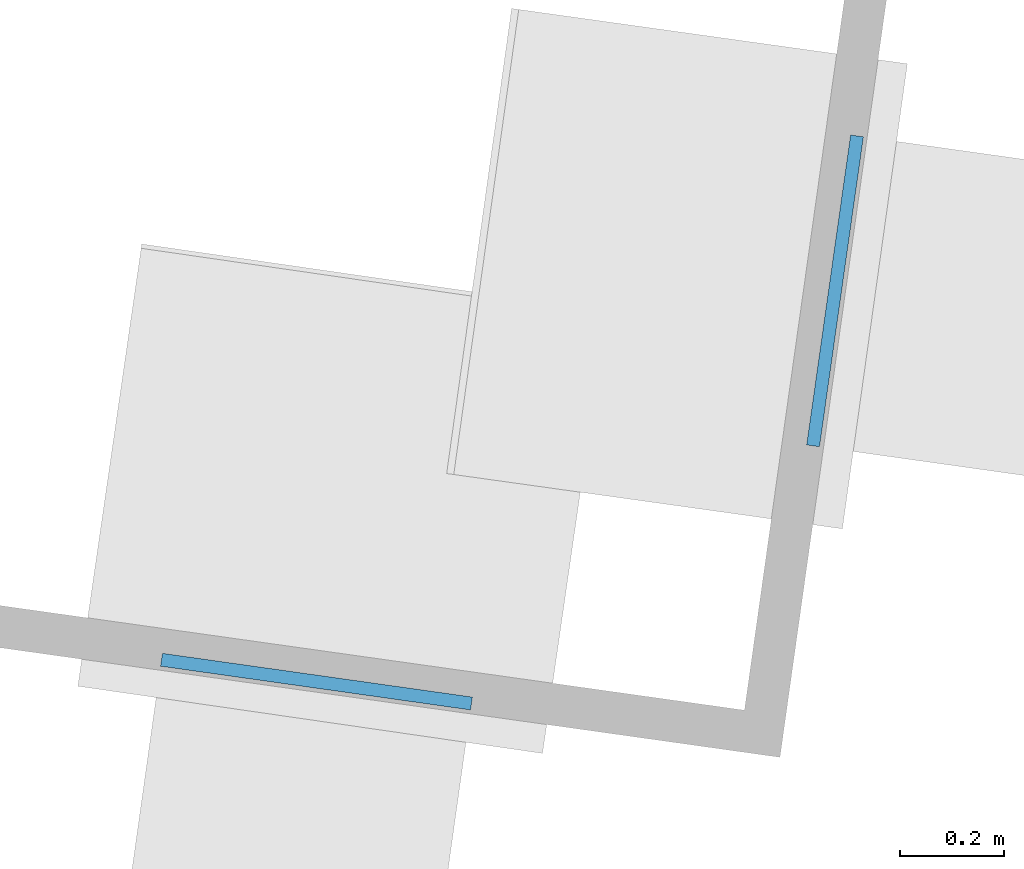
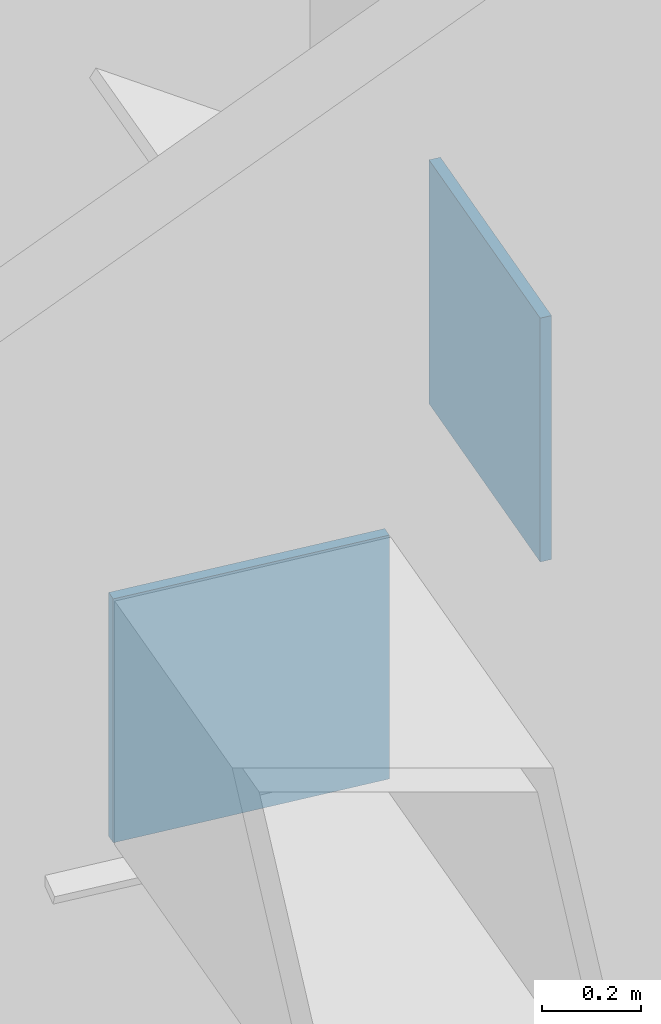
# One storey, part 42 of 46: 2 discrete accessories.
"""IFC4 building model written with IfcOpenShell, lengths in metres."""

from ifc_helpers import new_model, si_unit, direction, frame, origin, origin_2d, place, context, subcontext, project, spatial, rectangle, extrude, material, material_profile, profile_set, type_object, element, save


model = new_model("IFC4")

# Units and contexts
model_context = context("Model", 3, precision=1e-05, world=origin(), true_north=direction((0.0, 1.0)))
body_context = subcontext(model_context, "Body", "Model", "MODEL_VIEW")
ifc_project = project(units=[si_unit("LENGTHUNIT", "METRE"), si_unit("AREAUNIT", "SQUARE_METRE"), si_unit("VOLUMEUNIT", "CUBIC_METRE"), si_unit("PLANEANGLEUNIT", "RADIAN"), si_unit("MASSUNIT", "GRAM", prefix="KILO")], contexts=[model_context])

# Site, building, storey
site_placement = place(None, origin())
site = spatial("IfcSite", under=ifc_project, at=site_placement, CompositionType="ELEMENT")
building_placement = place(site_placement, origin())
building = spatial("IfcBuilding", under=site, at=building_placement, Name="Mirante Cascada Hotel Towers", CompositionType="ELEMENT")
storey_placement = place(building_placement, frame((0.0, 0.0, 39.5)))
storey = spatial("IfcBuildingStorey", under=building, at=storey_placement, Name="L06", CompositionType="ELEMENT", Elevation=39.5)

# Discrete accessories
ifc_material = material(Name="Steel ASTM A572 Gr 50", Category="steel")
ifc_material_profile = material_profile(ifc_material, rectangle(XDim=0.6, YDim=0.6, at=origin_2d()), Name="Connection plate 600x600x25 ASTM A572 Gr 50")
ifc_profile_set = profile_set([ifc_material_profile], Name="Steel ASTM A572 Gr 50")
discrete_accessory_type = type_object("IfcDiscreteAccessoryType", Name="Connection plate 600x600x25 ASTM A572 Gr 50", PredefinedType="BRACKET", material=ifc_profile_set)
discrete_accessory_1_placement = place(storey_placement, frame((-99.4734, 28.9702, 1.0), z_axis=(-0.9901092, 0.1402989, 0.0), x_axis=(-0.1402989, -0.9901092, 0.0)))
element("IfcDiscreteAccessory", 1, at=discrete_accessory_1_placement, inside=storey, type_object=discrete_accessory_type, Name="Connection plate NCH", PredefinedType="BRACKET", context=body_context, shape_type="SweptSolid", body=[
    extrude(rectangle(XDim=0.6, YDim=0.6, at=origin_2d()), origin(), (0.0, 0.0, 1.0), 0.0249),
])
discrete_accessory_2_placement = place(storey_placement, frame((-100.4814, 28.2106, 1.0), z_axis=(0.1397442, 0.9901876, 0.0), x_axis=(-0.9901876, 0.1397442, 0.0)))
element("IfcDiscreteAccessory", 2, at=discrete_accessory_2_placement, inside=storey, type_object=discrete_accessory_type, Name="Connection plate NCH", PredefinedType="BRACKET", context=body_context, shape_type="SweptSolid", body=[
    extrude(rectangle(XDim=0.6, YDim=0.6, at=origin_2d()), origin(), (0.0, 0.0, 1.0), 0.025),
])

save(model, "model.ifc")
